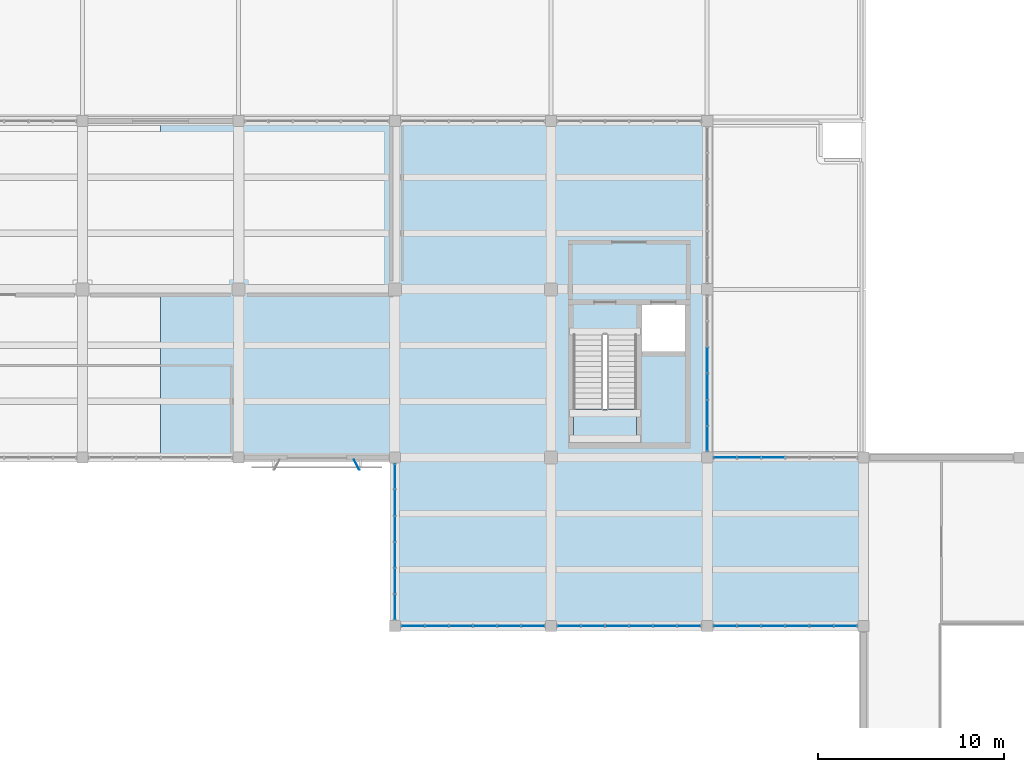
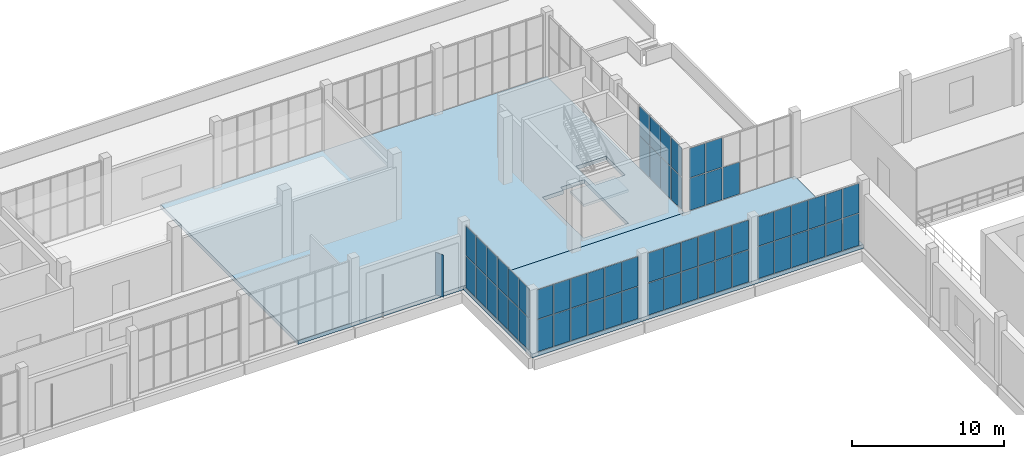
# One storey, part 106 of 132: 62 plates, 3 slabs, 7 elements without a shape of their own.
"""IFC4 building model written with IfcOpenShell, lengths in metres."""

from ifc_helpers import new_model, si_unit, direction, frame, origin, origin_2d, place, context, subcontext, project, spatial, polyline, rectangle, outline, extrude, material, layer, layer_set, type_object, element, aggregate, save


model = new_model("IFC4")

# Units and contexts
model_context = context("Model", 3, precision=1e-05, world=origin(), true_north=direction((0.0, 1.0)))
body_context = subcontext(model_context, "Body", "Model", "MODEL_VIEW")
ifc_project = project(units=[si_unit("LENGTHUNIT", "METRE"), si_unit("AREAUNIT", "SQUARE_METRE"), si_unit("VOLUMEUNIT", "CUBIC_METRE"), si_unit("PLANEANGLEUNIT", "RADIAN"), si_unit("MASSUNIT", "GRAM", prefix="KILO")], contexts=[model_context])

# Site, building, storey
site_placement = place(None, origin())
site = spatial("IfcSite", under=ifc_project, at=site_placement, CompositionType="ELEMENT")
building_placement = place(site_placement, origin())
building = spatial("IfcBuilding", under=site, at=building_placement, Name="Khurvash Pelagic Aquarium", CompositionType="ELEMENT")
storey_placement = place(building_placement, frame((0.0, 0.0, 5.39990234375)))
storey = spatial("IfcBuildingStorey", under=building, at=storey_placement, Name="L01", CompositionType="ELEMENT", Elevation=5.39990234375)

# Curtain wall, plates
ifc_material_1 = material(Name="Anodised aluminium and low-E laminated glass", Category="aluminium")
curtain_wall_type_1 = type_object("IfcCurtainWallType", Name="CW-05", PredefinedType="USERDEFINED", material=ifc_material_1)
curtain_wall_1_placement = place(storey_placement, origin())
curtain_wall_1 = element("IfcCurtainWall", 1, at=curtain_wall_1_placement, inside=storey, type_object=curtain_wall_type_1, Name="L01 Facade Unitised Curtain Wall CW-05 0111", ObjectType="UNITISED CURTAIN WALL", PredefinedType="USERDEFINED")
ifc_material_2 = material(Name="Low-E laminated double glazing", Category="glass")
ifc_layer_1 = layer(ifc_material_2, 0.033935546875)
ifc_layer_set_1 = layer_set([ifc_layer_1], Name="Low-E laminated double glazing")
plate_type_1 = type_object("IfcPlateType", Name="CG-05", PredefinedType="CURTAIN_PANEL", material=ifc_layer_set_1)
plate_1_placement = place(storey_placement, frame((121.15087890625, 84.050048828125, 0.06005859375), z_axis=(0.0, 0.0, 1.0), x_axis=(-1.0, 0.0, 0.0)))
plate_1 = element("IfcPlate", 2, at=plate_1_placement, type_object=plate_type_1, Name="CW-05 panel 4.1", PredefinedType="CURTAIN_PANEL", context=body_context, shape_type="SweptSolid", body=[
    extrude(rectangle(XDim=1.23828125, YDim=0.033935546875, at=origin_2d()), origin(), (0.0, 0.0, 1.0), 2.56201171875),
])
plate_2_placement = place(storey_placement, frame((119.8525390625, 84.050048828125, 0.06005859375), z_axis=(0.0, 0.0, 1.0), x_axis=(-1.0, 0.0, 0.0)))
plate_2 = element("IfcPlate", 3, at=plate_2_placement, type_object=plate_type_1, Name="CW-05 panel 5.1", PredefinedType="CURTAIN_PANEL", context=body_context, shape_type="SweptSolid", body=[
    extrude(rectangle(XDim=1.23828125, YDim=0.033935546875, at=origin_2d()), origin(), (0.0, 0.0, 1.0), 2.56201171875),
])
plate_3_placement = place(storey_placement, frame((119.8525390625, 84.050048828125, 2.68212890625), z_axis=(0.0, 0.0, 1.0), x_axis=(-1.0, 0.0, 0.0)))
plate_3 = element("IfcPlate", 4, at=plate_3_placement, type_object=plate_type_1, Name="CW-05 panel 5.2", PredefinedType="CURTAIN_PANEL", context=body_context, shape_type="SweptSolid", body=[
    extrude(rectangle(XDim=1.23828125, YDim=0.033935546875, at=origin_2d()), origin(), (0.0, 0.0, 1.0), 2.35791015625),
])
plate_4_placement = place(storey_placement, frame((118.569091796875, 84.050048828125, 0.06005859375), z_axis=(0.0, 0.0, 1.0), x_axis=(-1.0, 0.0, 0.0)))
plate_4 = element("IfcPlate", 5, at=plate_4_placement, type_object=plate_type_1, Name="CW-05 panel 6.1", PredefinedType="CURTAIN_PANEL", context=body_context, shape_type="SweptSolid", body=[
    extrude(rectangle(XDim=1.208251953125, YDim=0.033935546875, at=origin_2d()), origin(), (0.0, 0.0, 1.0), 2.56201171875),
])
plate_5_placement = place(storey_placement, frame((118.569091796875, 84.050048828125, 2.68212890625), z_axis=(0.0, 0.0, 1.0), x_axis=(-1.0, 0.0, 0.0)))
plate_5 = element("IfcPlate", 6, at=plate_5_placement, type_object=plate_type_1, Name="CW-05 panel 6.2", PredefinedType="CURTAIN_PANEL", context=body_context, shape_type="SweptSolid", body=[
    extrude(rectangle(XDim=1.208251953125, YDim=0.033935546875, at=origin_2d()), origin(), (0.0, 0.0, 1.0), 2.35791015625),
])
aggregate(curtain_wall_1, [plate_1, plate_2, plate_3, plate_4, plate_5])

curtain_wall_2_placement = place(storey_placement, origin())
curtain_wall_2 = element("IfcCurtainWall", 7, at=curtain_wall_2_placement, inside=storey, type_object=curtain_wall_type_1, Name="L01 Facade Unitised Curtain Wall CW-05 0141", ObjectType="UNITISED CURTAIN WALL", PredefinedType="USERDEFINED")
plate_6_placement = place(storey_placement, frame((101.769287109375, 75.0, 0.06005859375), z_axis=(0.0, 0.0, 1.0), x_axis=(1.0, 0.0, 0.0)))
plate_6 = element("IfcPlate", 8, at=plate_6_placement, type_object=plate_type_1, Name="CW-05 panel 1.1", PredefinedType="CURTAIN_PANEL", context=body_context, shape_type="SweptSolid", body=[
    extrude(rectangle(XDim=1.208251953125, YDim=0.033935546875, at=origin_2d()), origin(), (0.0, 0.0, 1.0), 2.56201171875),
])
plate_7_placement = place(storey_placement, frame((101.769287109375, 75.0, 2.68212890625), z_axis=(0.0, 0.0, 1.0), x_axis=(1.0, 0.0, 0.0)))
plate_7 = element("IfcPlate", 9, at=plate_7_placement, type_object=plate_type_1, Name="CW-05 panel 1.2", PredefinedType="CURTAIN_PANEL", context=body_context, shape_type="SweptSolid", body=[
    extrude(rectangle(XDim=1.208251953125, YDim=0.033935546875, at=origin_2d()), origin(), (0.0, 0.0, 1.0), 2.35791015625),
])
plate_8_placement = place(storey_placement, frame((103.052490234375, 75.0, 0.06005859375), z_axis=(0.0, 0.0, 1.0), x_axis=(1.0, 0.0, 0.0)))
plate_8 = element("IfcPlate", 10, at=plate_8_placement, type_object=plate_type_1, Name="CW-05 panel 2.1", PredefinedType="CURTAIN_PANEL", context=body_context, shape_type="SweptSolid", body=[
    extrude(rectangle(XDim=1.23828125, YDim=0.033935546875, at=origin_2d()), origin(), (0.0, 0.0, 1.0), 2.56201171875),
])
plate_9_placement = place(storey_placement, frame((103.052490234375, 75.0, 2.68212890625), z_axis=(0.0, 0.0, 1.0), x_axis=(1.0, 0.0, 0.0)))
plate_9 = element("IfcPlate", 11, at=plate_9_placement, type_object=plate_type_1, Name="CW-05 panel 2.2", PredefinedType="CURTAIN_PANEL", context=body_context, shape_type="SweptSolid", body=[
    extrude(rectangle(XDim=1.23828125, YDim=0.033935546875, at=origin_2d()), origin(), (0.0, 0.0, 1.0), 2.35791015625),
])
plate_10_placement = place(storey_placement, frame((104.350830078125, 75.0, 0.06005859375), z_axis=(0.0, 0.0, 1.0), x_axis=(1.0, 0.0, 0.0)))
plate_10 = element("IfcPlate", 12, at=plate_10_placement, type_object=plate_type_1, Name="CW-05 panel 3.1", PredefinedType="CURTAIN_PANEL", context=body_context, shape_type="SweptSolid", body=[
    extrude(rectangle(XDim=1.23828125, YDim=0.033935546875, at=origin_2d()), origin(), (0.0, 0.0, 1.0), 2.56201171875),
])
plate_11_placement = place(storey_placement, frame((104.350830078125, 75.0, 2.68212890625), z_axis=(0.0, 0.0, 1.0), x_axis=(1.0, 0.0, 0.0)))
plate_11 = element("IfcPlate", 13, at=plate_11_placement, type_object=plate_type_1, Name="CW-05 panel 3.2", PredefinedType="CURTAIN_PANEL", context=body_context, shape_type="SweptSolid", body=[
    extrude(rectangle(XDim=1.23828125, YDim=0.033935546875, at=origin_2d()), origin(), (0.0, 0.0, 1.0), 2.35791015625),
])
plate_12_placement = place(storey_placement, frame((105.649169921875, 75.0, 0.06005859375), z_axis=(0.0, 0.0, 1.0), x_axis=(1.0, 0.0, 0.0)))
plate_12 = element("IfcPlate", 14, at=plate_12_placement, type_object=plate_type_1, Name="CW-05 panel 4.1", PredefinedType="CURTAIN_PANEL", context=body_context, shape_type="SweptSolid", body=[
    extrude(rectangle(XDim=1.23828125, YDim=0.033935546875, at=origin_2d()), origin(), (0.0, 0.0, 1.0), 2.56201171875),
])
plate_13_placement = place(storey_placement, frame((105.649169921875, 75.0, 2.68212890625), z_axis=(0.0, 0.0, 1.0), x_axis=(1.0, 0.0, 0.0)))
plate_13 = element("IfcPlate", 15, at=plate_13_placement, type_object=plate_type_1, Name="CW-05 panel 4.2", PredefinedType="CURTAIN_PANEL", context=body_context, shape_type="SweptSolid", body=[
    extrude(rectangle(XDim=1.23828125, YDim=0.033935546875, at=origin_2d()), origin(), (0.0, 0.0, 1.0), 2.35791015625),
])
plate_14_placement = place(storey_placement, frame((106.947509765625, 75.0, 0.06005859375), z_axis=(0.0, 0.0, 1.0), x_axis=(1.0, 0.0, 0.0)))
plate_14 = element("IfcPlate", 16, at=plate_14_placement, type_object=plate_type_1, Name="CW-05 panel 5.1", PredefinedType="CURTAIN_PANEL", context=body_context, shape_type="SweptSolid", body=[
    extrude(rectangle(XDim=1.23828125, YDim=0.033935546875, at=origin_2d()), origin(), (0.0, 0.0, 1.0), 2.56201171875),
])
plate_15_placement = place(storey_placement, frame((106.947509765625, 75.0, 2.68212890625), z_axis=(0.0, 0.0, 1.0), x_axis=(1.0, 0.0, 0.0)))
plate_15 = element("IfcPlate", 17, at=plate_15_placement, type_object=plate_type_1, Name="CW-05 panel 5.2", PredefinedType="CURTAIN_PANEL", context=body_context, shape_type="SweptSolid", body=[
    extrude(rectangle(XDim=1.23828125, YDim=0.033935546875, at=origin_2d()), origin(), (0.0, 0.0, 1.0), 2.35791015625),
])
plate_16_placement = place(storey_placement, frame((108.230712890625, 75.0, 0.06005859375), z_axis=(0.0, 0.0, 1.0), x_axis=(1.0, 0.0, 0.0)))
plate_16 = element("IfcPlate", 18, at=plate_16_placement, type_object=plate_type_1, Name="CW-05 panel 6.1", PredefinedType="CURTAIN_PANEL", context=body_context, shape_type="SweptSolid", body=[
    extrude(rectangle(XDim=1.208251953125, YDim=0.033935546875, at=origin_2d()), origin(), (0.0, 0.0, 1.0), 2.56201171875),
])
plate_17_placement = place(storey_placement, frame((108.230712890625, 75.0, 2.68212890625), z_axis=(0.0, 0.0, 1.0), x_axis=(1.0, 0.0, 0.0)))
plate_17 = element("IfcPlate", 19, at=plate_17_placement, type_object=plate_type_1, Name="CW-05 panel 6.2", PredefinedType="CURTAIN_PANEL", context=body_context, shape_type="SweptSolid", body=[
    extrude(rectangle(XDim=1.208251953125, YDim=0.033935546875, at=origin_2d()), origin(), (0.0, 0.0, 1.0), 2.35791015625),
])
aggregate(curtain_wall_2, [plate_6, plate_7, plate_8, plate_9, plate_10, plate_11, plate_12, plate_13, plate_14, plate_15, plate_16, plate_17])

curtain_wall_3_placement = place(storey_placement, origin())
curtain_wall_3 = element("IfcCurtainWall", 20, at=curtain_wall_3_placement, inside=storey, type_object=curtain_wall_type_1, Name="L01 Facade Unitised Curtain Wall CW-05 0142", ObjectType="UNITISED CURTAIN WALL", PredefinedType="USERDEFINED")
plate_18_placement = place(storey_placement, frame((110.169189453125, 75.0, 0.06005859375), z_axis=(0.0, 0.0, 1.0), x_axis=(1.0, 0.0, 0.0)))
plate_18 = element("IfcPlate", 21, at=plate_18_placement, type_object=plate_type_1, Name="CW-05 panel 1.1", PredefinedType="CURTAIN_PANEL", context=body_context, shape_type="SweptSolid", body=[
    extrude(rectangle(XDim=1.208251953125, YDim=0.033935546875, at=origin_2d()), origin(), (0.0, 0.0, 1.0), 2.56201171875),
])
plate_19_placement = place(storey_placement, frame((110.169189453125, 75.0, 2.68212890625), z_axis=(0.0, 0.0, 1.0), x_axis=(1.0, 0.0, 0.0)))
plate_19 = element("IfcPlate", 22, at=plate_19_placement, type_object=plate_type_1, Name="CW-05 panel 1.2", PredefinedType="CURTAIN_PANEL", context=body_context, shape_type="SweptSolid", body=[
    extrude(rectangle(XDim=1.208251953125, YDim=0.033935546875, at=origin_2d()), origin(), (0.0, 0.0, 1.0), 2.35791015625),
])
plate_20_placement = place(storey_placement, frame((111.452392578125, 75.0, 0.06005859375), z_axis=(0.0, 0.0, 1.0), x_axis=(1.0, 0.0, 0.0)))
plate_20 = element("IfcPlate", 23, at=plate_20_placement, type_object=plate_type_1, Name="CW-05 panel 2.1", PredefinedType="CURTAIN_PANEL", context=body_context, shape_type="SweptSolid", body=[
    extrude(rectangle(XDim=1.23828125, YDim=0.033935546875, at=origin_2d()), origin(), (0.0, 0.0, 1.0), 2.56201171875),
])
plate_21_placement = place(storey_placement, frame((111.452392578125, 75.0, 2.68212890625), z_axis=(0.0, 0.0, 1.0), x_axis=(1.0, 0.0, 0.0)))
plate_21 = element("IfcPlate", 24, at=plate_21_placement, type_object=plate_type_1, Name="CW-05 panel 2.2", PredefinedType="CURTAIN_PANEL", context=body_context, shape_type="SweptSolid", body=[
    extrude(rectangle(XDim=1.23828125, YDim=0.033935546875, at=origin_2d()), origin(), (0.0, 0.0, 1.0), 2.35791015625),
])
plate_22_placement = place(storey_placement, frame((112.750732421875, 75.0, 0.06005859375), z_axis=(0.0, 0.0, 1.0), x_axis=(1.0, 0.0, 0.0)))
plate_22 = element("IfcPlate", 25, at=plate_22_placement, type_object=plate_type_1, Name="CW-05 panel 3.1", PredefinedType="CURTAIN_PANEL", context=body_context, shape_type="SweptSolid", body=[
    extrude(rectangle(XDim=1.23828125, YDim=0.033935546875, at=origin_2d()), origin(), (0.0, 0.0, 1.0), 2.56201171875),
])
plate_23_placement = place(storey_placement, frame((112.750732421875, 75.0, 2.68212890625), z_axis=(0.0, 0.0, 1.0), x_axis=(1.0, 0.0, 0.0)))
plate_23 = element("IfcPlate", 26, at=plate_23_placement, type_object=plate_type_1, Name="CW-05 panel 3.2", PredefinedType="CURTAIN_PANEL", context=body_context, shape_type="SweptSolid", body=[
    extrude(rectangle(XDim=1.23828125, YDim=0.033935546875, at=origin_2d()), origin(), (0.0, 0.0, 1.0), 2.35791015625),
])
plate_24_placement = place(storey_placement, frame((114.049072265625, 75.0, 0.06005859375), z_axis=(0.0, 0.0, 1.0), x_axis=(1.0, 0.0, 0.0)))
plate_24 = element("IfcPlate", 27, at=plate_24_placement, type_object=plate_type_1, Name="CW-05 panel 4.1", PredefinedType="CURTAIN_PANEL", context=body_context, shape_type="SweptSolid", body=[
    extrude(rectangle(XDim=1.23828125, YDim=0.033935546875, at=origin_2d()), origin(), (0.0, 0.0, 1.0), 2.56201171875),
])
plate_25_placement = place(storey_placement, frame((114.049072265625, 75.0, 2.68212890625), z_axis=(0.0, 0.0, 1.0), x_axis=(1.0, 0.0, 0.0)))
plate_25 = element("IfcPlate", 28, at=plate_25_placement, type_object=plate_type_1, Name="CW-05 panel 4.2", PredefinedType="CURTAIN_PANEL", context=body_context, shape_type="SweptSolid", body=[
    extrude(rectangle(XDim=1.23828125, YDim=0.033935546875, at=origin_2d()), origin(), (0.0, 0.0, 1.0), 2.35791015625),
])
plate_26_placement = place(storey_placement, frame((115.347412109375, 75.0, 0.06005859375), z_axis=(0.0, 0.0, 1.0), x_axis=(1.0, 0.0, 0.0)))
plate_26 = element("IfcPlate", 29, at=plate_26_placement, type_object=plate_type_1, Name="CW-05 panel 5.1", PredefinedType="CURTAIN_PANEL", context=body_context, shape_type="SweptSolid", body=[
    extrude(rectangle(XDim=1.23828125, YDim=0.033935546875, at=origin_2d()), origin(), (0.0, 0.0, 1.0), 2.56201171875),
])
plate_27_placement = place(storey_placement, frame((115.347412109375, 75.0, 2.68212890625), z_axis=(0.0, 0.0, 1.0), x_axis=(1.0, 0.0, 0.0)))
plate_27 = element("IfcPlate", 30, at=plate_27_placement, type_object=plate_type_1, Name="CW-05 panel 5.2", PredefinedType="CURTAIN_PANEL", context=body_context, shape_type="SweptSolid", body=[
    extrude(rectangle(XDim=1.23828125, YDim=0.033935546875, at=origin_2d()), origin(), (0.0, 0.0, 1.0), 2.35791015625),
])
plate_28_placement = place(storey_placement, frame((116.630859375, 75.0, 0.06005859375), z_axis=(0.0, 0.0, 1.0), x_axis=(1.0, 0.0, 0.0)))
plate_28 = element("IfcPlate", 31, at=plate_28_placement, type_object=plate_type_1, Name="CW-05 panel 6.1", PredefinedType="CURTAIN_PANEL", context=body_context, shape_type="SweptSolid", body=[
    extrude(rectangle(XDim=1.208251953125, YDim=0.033935546875, at=origin_2d()), origin(), (0.0, 0.0, 1.0), 2.56201171875),
])
plate_29_placement = place(storey_placement, frame((116.630859375, 75.0, 2.68212890625), z_axis=(0.0, 0.0, 1.0), x_axis=(1.0, 0.0, 0.0)))
plate_29 = element("IfcPlate", 32, at=plate_29_placement, type_object=plate_type_1, Name="CW-05 panel 6.2", PredefinedType="CURTAIN_PANEL", context=body_context, shape_type="SweptSolid", body=[
    extrude(rectangle(XDim=1.208251953125, YDim=0.033935546875, at=origin_2d()), origin(), (0.0, 0.0, 1.0), 2.35791015625),
])
aggregate(curtain_wall_3, [plate_18, plate_19, plate_20, plate_21, plate_22, plate_23, plate_24, plate_25, plate_26, plate_27, plate_28, plate_29])

curtain_wall_4_placement = place(storey_placement, origin())
curtain_wall_4 = element("IfcCurtainWall", 33, at=curtain_wall_4_placement, inside=storey, type_object=curtain_wall_type_1, Name="L01 Facade Unitised Curtain Wall CW-05 0143", ObjectType="UNITISED CURTAIN WALL", PredefinedType="USERDEFINED")
plate_30_placement = place(storey_placement, frame((118.569091796875, 75.0, 0.06005859375), z_axis=(0.0, 0.0, 1.0), x_axis=(1.0, 0.0, 0.0)))
plate_30 = element("IfcPlate", 34, at=plate_30_placement, type_object=plate_type_1, Name="CW-05 panel 1.1", PredefinedType="CURTAIN_PANEL", context=body_context, shape_type="SweptSolid", body=[
    extrude(rectangle(XDim=1.208251953125, YDim=0.033935546875, at=origin_2d()), origin(), (0.0, 0.0, 1.0), 2.56201171875),
])
plate_31_placement = place(storey_placement, frame((118.569091796875, 75.0, 2.68212890625), z_axis=(0.0, 0.0, 1.0), x_axis=(1.0, 0.0, 0.0)))
plate_31 = element("IfcPlate", 35, at=plate_31_placement, type_object=plate_type_1, Name="CW-05 panel 1.2", PredefinedType="CURTAIN_PANEL", context=body_context, shape_type="SweptSolid", body=[
    extrude(rectangle(XDim=1.208251953125, YDim=0.033935546875, at=origin_2d()), origin(), (0.0, 0.0, 1.0), 2.35791015625),
])
plate_32_placement = place(storey_placement, frame((119.8525390625, 75.0, 0.06005859375), z_axis=(0.0, 0.0, 1.0), x_axis=(1.0, 0.0, 0.0)))
plate_32 = element("IfcPlate", 36, at=plate_32_placement, type_object=plate_type_1, Name="CW-05 panel 2.1", PredefinedType="CURTAIN_PANEL", context=body_context, shape_type="SweptSolid", body=[
    extrude(rectangle(XDim=1.23828125, YDim=0.033935546875, at=origin_2d()), origin(), (0.0, 0.0, 1.0), 2.56201171875),
])
plate_33_placement = place(storey_placement, frame((119.8525390625, 75.0, 2.68212890625), z_axis=(0.0, 0.0, 1.0), x_axis=(1.0, 0.0, 0.0)))
plate_33 = element("IfcPlate", 37, at=plate_33_placement, type_object=plate_type_1, Name="CW-05 panel 2.2", PredefinedType="CURTAIN_PANEL", context=body_context, shape_type="SweptSolid", body=[
    extrude(rectangle(XDim=1.23828125, YDim=0.033935546875, at=origin_2d()), origin(), (0.0, 0.0, 1.0), 2.35791015625),
])
plate_34_placement = place(storey_placement, frame((121.15087890625, 75.0, 0.06005859375), z_axis=(0.0, 0.0, 1.0), x_axis=(1.0, 0.0, 0.0)))
plate_34 = element("IfcPlate", 38, at=plate_34_placement, type_object=plate_type_1, Name="CW-05 panel 3.1", PredefinedType="CURTAIN_PANEL", context=body_context, shape_type="SweptSolid", body=[
    extrude(rectangle(XDim=1.23828125, YDim=0.033935546875, at=origin_2d()), origin(), (0.0, 0.0, 1.0), 2.56201171875),
])
plate_35_placement = place(storey_placement, frame((121.15087890625, 75.0, 2.68212890625), z_axis=(0.0, 0.0, 1.0), x_axis=(1.0, 0.0, 0.0)))
plate_35 = element("IfcPlate", 39, at=plate_35_placement, type_object=plate_type_1, Name="CW-05 panel 3.2", PredefinedType="CURTAIN_PANEL", context=body_context, shape_type="SweptSolid", body=[
    extrude(rectangle(XDim=1.23828125, YDim=0.033935546875, at=origin_2d()), origin(), (0.0, 0.0, 1.0), 2.35791015625),
])
plate_36_placement = place(storey_placement, frame((122.44921875, 75.0, 0.06005859375), z_axis=(0.0, 0.0, 1.0), x_axis=(1.0, 0.0, 0.0)))
plate_36 = element("IfcPlate", 40, at=plate_36_placement, type_object=plate_type_1, Name="CW-05 panel 4.1", PredefinedType="CURTAIN_PANEL", context=body_context, shape_type="SweptSolid", body=[
    extrude(rectangle(XDim=1.23828125, YDim=0.033935546875, at=origin_2d()), origin(), (0.0, 0.0, 1.0), 2.56201171875),
])
plate_37_placement = place(storey_placement, frame((122.44921875, 75.0, 2.68212890625), z_axis=(0.0, 0.0, 1.0), x_axis=(1.0, 0.0, 0.0)))
plate_37 = element("IfcPlate", 41, at=plate_37_placement, type_object=plate_type_1, Name="CW-05 panel 4.2", PredefinedType="CURTAIN_PANEL", context=body_context, shape_type="SweptSolid", body=[
    extrude(rectangle(XDim=1.23828125, YDim=0.033935546875, at=origin_2d()), origin(), (0.0, 0.0, 1.0), 2.35791015625),
])
plate_38_placement = place(storey_placement, frame((123.74755859375, 75.0, 0.06005859375), z_axis=(0.0, 0.0, 1.0), x_axis=(1.0, 0.0, 0.0)))
plate_38 = element("IfcPlate", 42, at=plate_38_placement, type_object=plate_type_1, Name="CW-05 panel 5.1", PredefinedType="CURTAIN_PANEL", context=body_context, shape_type="SweptSolid", body=[
    extrude(rectangle(XDim=1.23828125, YDim=0.033935546875, at=origin_2d()), origin(), (0.0, 0.0, 1.0), 2.56201171875),
])
plate_39_placement = place(storey_placement, frame((123.74755859375, 75.0, 2.68212890625), z_axis=(0.0, 0.0, 1.0), x_axis=(1.0, 0.0, 0.0)))
plate_39 = element("IfcPlate", 43, at=plate_39_placement, type_object=plate_type_1, Name="CW-05 panel 5.2", PredefinedType="CURTAIN_PANEL", context=body_context, shape_type="SweptSolid", body=[
    extrude(rectangle(XDim=1.23828125, YDim=0.033935546875, at=origin_2d()), origin(), (0.0, 0.0, 1.0), 2.35791015625),
])
plate_40_placement = place(storey_placement, frame((125.03076171875, 75.0, 0.06005859375), z_axis=(0.0, 0.0, 1.0), x_axis=(1.0, 0.0, 0.0)))
plate_40 = element("IfcPlate", 44, at=plate_40_placement, type_object=plate_type_1, Name="CW-05 panel 6.1", PredefinedType="CURTAIN_PANEL", context=body_context, shape_type="SweptSolid", body=[
    extrude(rectangle(XDim=1.208251953125, YDim=0.033935546875, at=origin_2d()), origin(), (0.0, 0.0, 1.0), 2.56201171875),
])
plate_41_placement = place(storey_placement, frame((125.03076171875, 75.0, 2.68212890625), z_axis=(0.0, 0.0, 1.0), x_axis=(1.0, 0.0, 0.0)))
plate_41 = element("IfcPlate", 45, at=plate_41_placement, type_object=plate_type_1, Name="CW-05 panel 6.2", PredefinedType="CURTAIN_PANEL", context=body_context, shape_type="SweptSolid", body=[
    extrude(rectangle(XDim=1.208251953125, YDim=0.033935546875, at=origin_2d()), origin(), (0.0, 0.0, 1.0), 2.35791015625),
])
aggregate(curtain_wall_4, [plate_30, plate_31, plate_32, plate_33, plate_34, plate_35, plate_36, plate_37, plate_38, plate_39, plate_40, plate_41])

curtain_wall_type_2 = type_object("IfcCurtainWallType", Name="CW-06", PredefinedType="USERDEFINED", material=ifc_material_1)
curtain_wall_5_placement = place(storey_placement, origin())
curtain_wall_5 = element("IfcCurtainWall", 46, at=curtain_wall_5_placement, inside=storey, type_object=curtain_wall_type_2, Name="L01 Facade Unitised Curtain Wall CW-06 0112", ObjectType="UNITISED CURTAIN WALL", PredefinedType="USERDEFINED")
ifc_layer_2 = layer(ifc_material_2, 0.030029296875)
ifc_layer_set_2 = layer_set([ifc_layer_2], Name="Low-E laminated double glazing")
plate_type_2 = type_object("IfcPlateType", Name="CG-06", PredefinedType="CURTAIN_PANEL", material=ifc_layer_set_2)
plate_42_placement = place(storey_placement, frame((117.60009765625, 85.0732421875, 0.06005859375), z_axis=(0.0, 0.0, 1.0), x_axis=(0.0, 1.0, 0.0)))
plate_42 = element("IfcPlate", 47, at=plate_42_placement, type_object=plate_type_2, Name="CW-06 panel 1.1", PredefinedType="CURTAIN_PANEL", context=body_context, shape_type="SweptSolid", body=[
    extrude(rectangle(XDim=1.316650390625, YDim=0.030029296875, at=origin_2d()), origin(), (0.0, 0.0, 1.0), 2.56201171875),
])
plate_43_placement = place(storey_placement, frame((117.60009765625, 85.0732421875, 2.68212890625), z_axis=(0.0, 0.0, 1.0), x_axis=(0.0, 1.0, 0.0)))
plate_43 = element("IfcPlate", 48, at=plate_43_placement, type_object=plate_type_2, Name="CW-06 panel 1.2", PredefinedType="CURTAIN_PANEL", context=body_context, shape_type="SweptSolid", body=[
    extrude(rectangle(XDim=1.316650390625, YDim=0.030029296875, at=origin_2d()), origin(), (0.0, 0.0, 1.0), 2.35791015625),
])
plate_44_placement = place(storey_placement, frame((117.60009765625, 86.465087890625, 0.06005859375), z_axis=(0.0, 0.0, 1.0), x_axis=(0.0, 1.0, 0.0)))
plate_44 = element("IfcPlate", 49, at=plate_44_placement, type_object=plate_type_2, Name="CW-06 panel 2.1", PredefinedType="CURTAIN_PANEL", context=body_context, shape_type="SweptSolid", body=[
    extrude(rectangle(XDim=1.3466796875, YDim=0.030029296875, at=origin_2d()), origin(), (0.0, 0.0, 1.0), 2.56201171875),
])
plate_45_placement = place(storey_placement, frame((117.60009765625, 86.465087890625, 2.68212890625), z_axis=(0.0, 0.0, 1.0), x_axis=(0.0, 1.0, 0.0)))
plate_45 = element("IfcPlate", 50, at=plate_45_placement, type_object=plate_type_2, Name="CW-06 panel 2.2", PredefinedType="CURTAIN_PANEL", context=body_context, shape_type="SweptSolid", body=[
    extrude(rectangle(XDim=1.3466796875, YDim=0.030029296875, at=origin_2d()), origin(), (0.0, 0.0, 1.0), 2.35791015625),
])
plate_46_placement = place(storey_placement, frame((117.60009765625, 87.87158203125, 0.06005859375), z_axis=(0.0, 0.0, 1.0), x_axis=(0.0, 1.0, 0.0)))
plate_46 = element("IfcPlate", 51, at=plate_46_placement, type_object=plate_type_2, Name="CW-06 panel 3.1", PredefinedType="CURTAIN_PANEL", context=body_context, shape_type="SweptSolid", body=[
    extrude(rectangle(XDim=1.3466796875, YDim=0.030029296875, at=origin_2d()), origin(), (0.0, 0.0, 1.0), 2.56201171875),
])
plate_47_placement = place(storey_placement, frame((117.60009765625, 87.87158203125, 2.68212890625), z_axis=(0.0, 0.0, 1.0), x_axis=(0.0, 1.0, 0.0)))
plate_47 = element("IfcPlate", 52, at=plate_47_placement, type_object=plate_type_2, Name="CW-06 panel 3.2", PredefinedType="CURTAIN_PANEL", context=body_context, shape_type="SweptSolid", body=[
    extrude(rectangle(XDim=1.3466796875, YDim=0.030029296875, at=origin_2d()), origin(), (0.0, 0.0, 1.0), 2.35791015625),
])
plate_48_placement = place(storey_placement, frame((117.60009765625, 89.2783203125, 0.06005859375), z_axis=(0.0, 0.0, 1.0), x_axis=(0.0, 1.0, 0.0)))
plate_48 = element("IfcPlate", 53, at=plate_48_placement, type_object=plate_type_2, Name="CW-06 panel 4.1", PredefinedType="CURTAIN_PANEL", context=body_context, shape_type="SweptSolid", body=[
    extrude(rectangle(XDim=1.3466796875, YDim=0.030029296875, at=origin_2d()), origin(), (0.0, 0.0, 1.0), 2.56201171875),
])
plate_49_placement = place(storey_placement, frame((117.60009765625, 89.2783203125, 2.68212890625), z_axis=(0.0, 0.0, 1.0), x_axis=(0.0, 1.0, 0.0)))
plate_49 = element("IfcPlate", 54, at=plate_49_placement, type_object=plate_type_2, Name="CW-06 panel 4.2", PredefinedType="CURTAIN_PANEL", context=body_context, shape_type="SweptSolid", body=[
    extrude(rectangle(XDim=1.3466796875, YDim=0.030029296875, at=origin_2d()), origin(), (0.0, 0.0, 1.0), 2.35791015625),
])
aggregate(curtain_wall_5, [plate_42, plate_43, plate_44, plate_45, plate_46, plate_47, plate_48, plate_49])

curtain_wall_6_placement = place(storey_placement, origin())
curtain_wall_6 = element("IfcCurtainWall", 55, at=curtain_wall_6_placement, inside=storey, type_object=curtain_wall_type_2, Name="L01 Facade Unitised Curtain Wall CW-06 0140", ObjectType="UNITISED CURTAIN WALL", PredefinedType="USERDEFINED")
plate_50_placement = place(storey_placement, frame((100.800048828125, 83.026611328125, 0.06005859375), z_axis=(0.0, 0.0, 1.0), x_axis=(0.0, -1.0, 0.0)))
plate_50 = element("IfcPlate", 56, at=plate_50_placement, type_object=plate_type_2, Name="CW-06 panel 1.1", PredefinedType="CURTAIN_PANEL", context=body_context, shape_type="SweptSolid", body=[
    extrude(rectangle(XDim=1.316650390625, YDim=0.030029296875, at=origin_2d()), origin(), (0.0, 0.0, 1.0), 2.56201171875),
])
plate_51_placement = place(storey_placement, frame((100.800048828125, 83.026611328125, 2.68212890625), z_axis=(0.0, 0.0, 1.0), x_axis=(0.0, -1.0, 0.0)))
plate_51 = element("IfcPlate", 57, at=plate_51_placement, type_object=plate_type_2, Name="CW-06 panel 1.2", PredefinedType="CURTAIN_PANEL", context=body_context, shape_type="SweptSolid", body=[
    extrude(rectangle(XDim=1.316650390625, YDim=0.030029296875, at=origin_2d()), origin(), (0.0, 0.0, 1.0), 2.35791015625),
])
plate_52_placement = place(storey_placement, frame((100.800048828125, 81.635009765625, 0.06005859375), z_axis=(0.0, 0.0, 1.0), x_axis=(0.0, -1.0, 0.0)))
plate_52 = element("IfcPlate", 58, at=plate_52_placement, type_object=plate_type_2, Name="CW-06 panel 2.1", PredefinedType="CURTAIN_PANEL", context=body_context, shape_type="SweptSolid", body=[
    extrude(rectangle(XDim=1.3466796875, YDim=0.030029296875, at=origin_2d()), origin(), (0.0, 0.0, 1.0), 2.56201171875),
])
plate_53_placement = place(storey_placement, frame((100.800048828125, 81.635009765625, 2.68212890625), z_axis=(0.0, 0.0, 1.0), x_axis=(0.0, -1.0, 0.0)))
plate_53 = element("IfcPlate", 59, at=plate_53_placement, type_object=plate_type_2, Name="CW-06 panel 2.2", PredefinedType="CURTAIN_PANEL", context=body_context, shape_type="SweptSolid", body=[
    extrude(rectangle(XDim=1.3466796875, YDim=0.030029296875, at=origin_2d()), origin(), (0.0, 0.0, 1.0), 2.35791015625),
])
plate_54_placement = place(storey_placement, frame((100.800048828125, 80.228271484375, 0.06005859375), z_axis=(0.0, 0.0, 1.0), x_axis=(0.0, -1.0, 0.0)))
plate_54 = element("IfcPlate", 60, at=plate_54_placement, type_object=plate_type_2, Name="CW-06 panel 3.1", PredefinedType="CURTAIN_PANEL", context=body_context, shape_type="SweptSolid", body=[
    extrude(rectangle(XDim=1.3466796875, YDim=0.030029296875, at=origin_2d()), origin(), (0.0, 0.0, 1.0), 2.56201171875),
])
plate_55_placement = place(storey_placement, frame((100.800048828125, 80.228271484375, 2.68212890625), z_axis=(0.0, 0.0, 1.0), x_axis=(0.0, -1.0, 0.0)))
plate_55 = element("IfcPlate", 61, at=plate_55_placement, type_object=plate_type_2, Name="CW-06 panel 3.2", PredefinedType="CURTAIN_PANEL", context=body_context, shape_type="SweptSolid", body=[
    extrude(rectangle(XDim=1.3466796875, YDim=0.030029296875, at=origin_2d()), origin(), (0.0, 0.0, 1.0), 2.35791015625),
])
plate_56_placement = place(storey_placement, frame((100.800048828125, 78.82177734375, 0.06005859375), z_axis=(0.0, 0.0, 1.0), x_axis=(0.0, -1.0, 0.0)))
plate_56 = element("IfcPlate", 62, at=plate_56_placement, type_object=plate_type_2, Name="CW-06 panel 4.1", PredefinedType="CURTAIN_PANEL", context=body_context, shape_type="SweptSolid", body=[
    extrude(rectangle(XDim=1.3466796875, YDim=0.030029296875, at=origin_2d()), origin(), (0.0, 0.0, 1.0), 2.56201171875),
])
plate_57_placement = place(storey_placement, frame((100.800048828125, 78.82177734375, 2.68212890625), z_axis=(0.0, 0.0, 1.0), x_axis=(0.0, -1.0, 0.0)))
plate_57 = element("IfcPlate", 63, at=plate_57_placement, type_object=plate_type_2, Name="CW-06 panel 4.2", PredefinedType="CURTAIN_PANEL", context=body_context, shape_type="SweptSolid", body=[
    extrude(rectangle(XDim=1.3466796875, YDim=0.030029296875, at=origin_2d()), origin(), (0.0, 0.0, 1.0), 2.35791015625),
])
plate_58_placement = place(storey_placement, frame((100.800048828125, 77.4150390625, 0.06005859375), z_axis=(0.0, 0.0, 1.0), x_axis=(0.0, -1.0, 0.0)))
plate_58 = element("IfcPlate", 64, at=plate_58_placement, type_object=plate_type_2, Name="CW-06 panel 5.1", PredefinedType="CURTAIN_PANEL", context=body_context, shape_type="SweptSolid", body=[
    extrude(rectangle(XDim=1.3466796875, YDim=0.030029296875, at=origin_2d()), origin(), (0.0, 0.0, 1.0), 2.56201171875),
])
plate_59_placement = place(storey_placement, frame((100.800048828125, 77.4150390625, 2.68212890625), z_axis=(0.0, 0.0, 1.0), x_axis=(0.0, -1.0, 0.0)))
plate_59 = element("IfcPlate", 65, at=plate_59_placement, type_object=plate_type_2, Name="CW-06 panel 5.2", PredefinedType="CURTAIN_PANEL", context=body_context, shape_type="SweptSolid", body=[
    extrude(rectangle(XDim=1.3466796875, YDim=0.030029296875, at=origin_2d()), origin(), (0.0, 0.0, 1.0), 2.35791015625),
])
plate_60_placement = place(storey_placement, frame((100.800048828125, 76.0234375, 0.06005859375), z_axis=(0.0, 0.0, 1.0), x_axis=(0.0, -1.0, 0.0)))
plate_60 = element("IfcPlate", 66, at=plate_60_placement, type_object=plate_type_2, Name="CW-06 panel 6.1", PredefinedType="CURTAIN_PANEL", context=body_context, shape_type="SweptSolid", body=[
    extrude(rectangle(XDim=1.316650390625, YDim=0.030029296875, at=origin_2d()), origin(), (0.0, 0.0, 1.0), 2.56201171875),
])
plate_61_placement = place(storey_placement, frame((100.800048828125, 76.0234375, 2.68212890625), z_axis=(0.0, 0.0, 1.0), x_axis=(0.0, -1.0, 0.0)))
plate_61 = element("IfcPlate", 67, at=plate_61_placement, type_object=plate_type_2, Name="CW-06 panel 6.2", PredefinedType="CURTAIN_PANEL", context=body_context, shape_type="SweptSolid", body=[
    extrude(rectangle(XDim=1.316650390625, YDim=0.030029296875, at=origin_2d()), origin(), (0.0, 0.0, 1.0), 2.35791015625),
])
aggregate(curtain_wall_6, [plate_50, plate_51, plate_52, plate_53, plate_54, plate_55, plate_56, plate_57, plate_58, plate_59, plate_60, plate_61])

# Slabs
ifc_material_3 = material(Name="Concrete C40/50", Category="concrete")
ifc_layer_3 = layer(ifc_material_3, 0.31005859375)
ifc_layer_set_3 = layer_set([ifc_layer_3], Name="Concrete C40/50")
slab_type_1 = type_object("IfcSlabType", Name="FS-310", PredefinedType="FLOOR", material=ifc_layer_set_3)
slab_1_placement = place(storey_placement, frame((0.0, 0.0, -0.309814453125)))
element("IfcSlab", 68, at=slab_1_placement, inside=storey, type_object=slab_type_1, Name="L01 Structural Floor Slab FS-310 V5_NORTH.2", PredefinedType="FLOOR", context=body_context, shape_type="SweptSolid", body=[
    extrude(outline(polyline([(117.60009765625, 84.050048828125), (117.60009765625, 102.14990234375), (88.199951171875, 102.14990234375), (88.199951171875, 84.050048828125), (117.60009765625, 84.050048828125)]), holes=[polyline([(112.0, 90.64990234375), (113.800048828125, 90.64990234375), (113.800048828125, 84.85009765625), (110.39990234375, 84.85009765625), (110.39990234375, 90.27001953125), (112.0, 90.27001953125), (112.0, 90.64990234375)]), polyline([(116.39990234375, 89.75), (114.10009765625, 89.75), (114.10009765625, 92.25), (116.39990234375, 92.25), (116.39990234375, 89.75)])]), origin(), (0.0, 0.0, 1.0), 0.309814453125),
])
slab_2_placement = place(storey_placement, frame((0.0, 0.0, -0.309814453125)))
element("IfcSlab", 69, at=slab_2_placement, inside=storey, type_object=slab_type_1, Name="L01 Structural Floor Slab FS-310 V1_NLINK.1", PredefinedType="FLOOR", context=body_context, shape_type="SweptSolid", body=[
    extrude(outline(polyline([(126.0, 84.050048828125), (117.60009765625, 84.050048828125), (100.800048828125, 84.050048828125), (100.800048828125, 75.0), (126.0, 75.0), (126.0, 84.050048828125)])), origin(), (0.0, 0.0, 1.0), 0.309814453125),
])

# Stair, slab
ifc_material_4 = material(Name="Concrete C35/45", Category="concrete")
stair_type = type_object("IfcStairType", Name="ST-06", PredefinedType="HALF_TURN_STAIR", material=ifc_material_4)
stair_placement = place(storey_placement, origin())
stair = element("IfcStair", 70, at=stair_placement, inside=storey, type_object=stair_type, Name="L01 Protected Exit Stair ST-06", PredefinedType="HALF_TURN_STAIR")
ifc_layer_4 = layer(ifc_material_4, 0.199951171875)
ifc_layer_set_4 = layer_set([ifc_layer_4], Name="Concrete C35/45")
slab_type_2 = type_object("IfcSlabType", Name="SL-LND-200", PredefinedType="LANDING", material=ifc_layer_set_4)
slab_3_placement = place(storey_placement, frame((0.0, 0.0, 2.5)))
slab_3 = element("IfcSlab", 71, at=slab_3_placement, type_object=slab_type_2, Name="ST-06 landing 1", PredefinedType="LANDING", context=body_context, shape_type="SweptSolid", body=[
    extrude(outline(polyline([(110.39990234375, 86.659912109375), (110.39990234375, 84.85009765625), (113.800048828125, 84.85009765625), (113.800048828125, 86.659912109375), (110.39990234375, 86.659912109375)])), origin(), (0.0, 0.0, 1.0), 0.2001953125),
])
aggregate(stair, [slab_3])

# Plate
ifc_material_5 = material(Name="Anodised aluminium AW-5005", Category="aluminium")
ifc_layer_5 = layer(ifc_material_5, 0.02392578125)
ifc_layer_set_5 = layer_set([ifc_layer_5], Name="Anodised aluminium AW-5005")
plate_type_3 = type_object("IfcPlateType", Name="SP-01", PredefinedType="SHEET", material=ifc_layer_set_5)
plate_62_placement = place(storey_placement, frame((98.75, 83.662109375, 0.150146484375), z_axis=(0.0, 0.0, 1.0), x_axis=(0.469471562786, -0.882947592859, 0.0)))
element("IfcPlate", 72, at=plate_62_placement, inside=storey, type_object=plate_type_3, Name="L01 Parametric Folded Aluminium Solar Screen Fin SP-01 0022", PredefinedType="SHEET", context=body_context, shape_type="SweptSolid", body=[
    extrude(rectangle(XDim=0.6201171875, YDim=0.02392578125, at=origin_2d()), origin(), (0.0, 0.0, 1.0), 3.39990234375),
])

save(model, "model.ifc")
